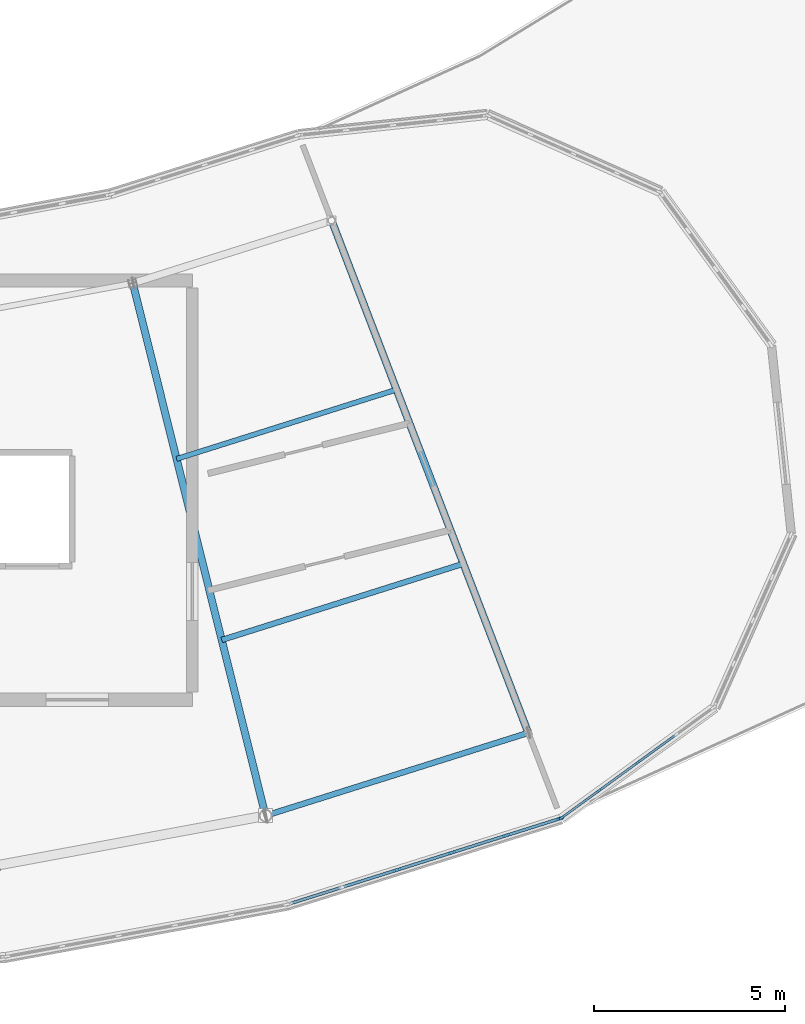
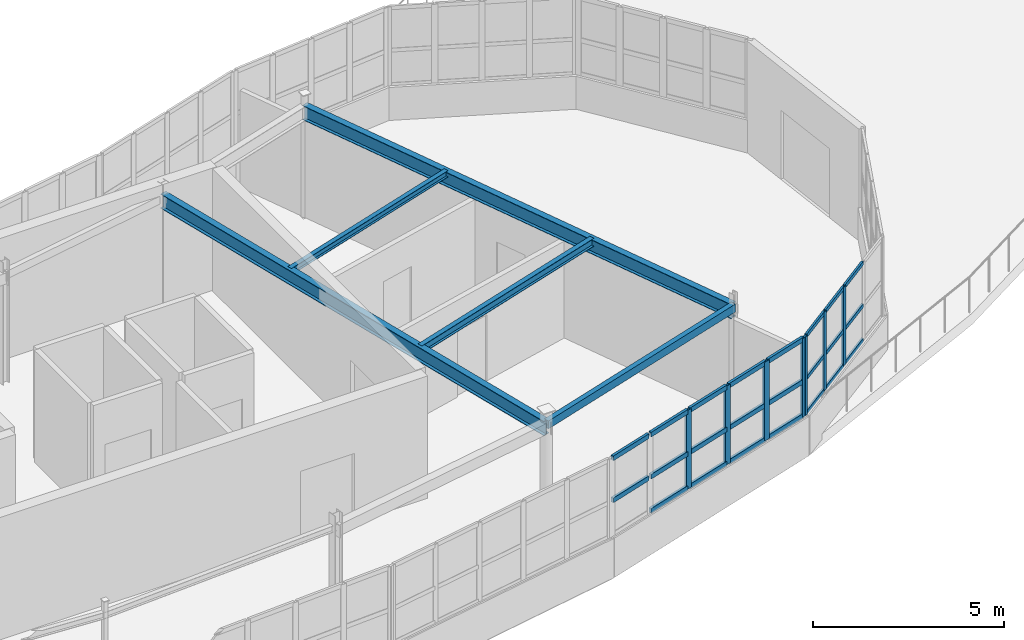
# One storey, part 20 of 65: 30 members, 5 beams, 2 elements without a shape of their own.
"""IFC4 building model written with IfcOpenShell, lengths in metres."""

from ifc_helpers import new_model, si_unit, direction, frame, origin, origin_2d, place, context, subcontext, project, spatial, rectangle, hollow_rectangle, i_section, extrude, material, layer, layer_set, material_profile, profile_set, type_object, element, aggregate, save


model = new_model("IFC4")

# Units and contexts
model_context = context("Model", 3, precision=1e-05, world=origin(), true_north=direction((0.0, 1.0)))
body_context = subcontext(model_context, "Body", "Model", "MODEL_VIEW")
ifc_project = project(units=[si_unit("LENGTHUNIT", "METRE"), si_unit("AREAUNIT", "SQUARE_METRE"), si_unit("VOLUMEUNIT", "CUBIC_METRE"), si_unit("PLANEANGLEUNIT", "RADIAN"), si_unit("MASSUNIT", "GRAM", prefix="KILO")], contexts=[model_context])

# Site, building, storey
site_placement = place(None, origin())
site = spatial("IfcSite", under=ifc_project, at=site_placement, CompositionType="ELEMENT")
building_placement = place(site_placement, origin())
building = spatial("IfcBuilding", under=site, at=building_placement, Name="Tarnwether General Hospital", CompositionType="ELEMENT")
storey_placement = place(building_placement, frame((0.0, 0.0, 22.199951171875)))
storey = spatial("IfcBuildingStorey", under=building, at=storey_placement, Name="L05", CompositionType="ELEMENT", Elevation=22.199951171875)

# Beams
ifc_material_1 = material(Name="Steel Grade 350 (350 MPa)", Category="steel")
ifc_material_profile_1 = material_profile(ifc_material_1, i_section(OverallWidth=0.19091796875, OverallDepth=0.4599609375, WebThickness=0.010009765625, FlangeThickness=0.01611328125, at=origin_2d()), Name="460UB82.1")
ifc_profile_set_1 = profile_set([ifc_material_profile_1], Name="Steel Grade 350 (350 MPa)")
beam_type_1 = type_object("IfcBeamType", Name="BM-G08", PredefinedType="BEAM", material=ifc_profile_set_1)
beam_1_placement = place(storey_placement, frame((106.322021484375, 5.55810546875, 3.330078125), z_axis=(-0.241941215118, 0.970290909175, 0.0), x_axis=(-0.970290909175, -0.241941215118, 0.0)))
element("IfcBeam", 1, at=beam_1_placement, inside=storey, type_object=beam_type_1, Name="Curved Ward SE Radial Girder BMG-L05-10632_556-10284_1953-2168", PredefinedType="BEAM", context=body_context, shape_type="SweptSolid", body=[
    extrude(i_section(OverallWidth=0.19091796875, OverallDepth=0.4599609375, WebThickness=0.010009765625, FlangeThickness=0.01611328125, at=origin_2d()), origin(), (0.0, 0.0, 1.0), 14.400634765625),
])
ifc_material_2 = material(Name="Steel Grade 350 (350 MPa)", Category="steel")
ifc_material_profile_2 = material_profile(ifc_material_2, i_section(OverallWidth=0.18994140625, OverallDepth=0.45703125, WebThickness=0.009033203125, FlangeThickness=0.014404296875, at=origin_2d()), Name="460UB74.6")
ifc_profile_set_2 = profile_set([ifc_material_profile_2], Name="Steel Grade 350 (350 MPa)")
beam_type_2 = type_object("IfcBeamType", Name="BM-G09", PredefinedType="BEAM", material=ifc_profile_set_2)
beam_2_placement = place(storey_placement, frame((113.215087890625, 7.73193359375, 3.33154296875), z_axis=(-0.358334838026, 0.933593136145, 0.0), x_axis=(-0.933593136145, -0.358334838026, 0.0)))
element("IfcBeam", 2, at=beam_2_placement, inside=storey, type_object=beam_type_2, Name="Curved Ward SE Radial Girder BMG-L05-11322_773-10806_2118-2169", PredefinedType="BEAM", context=body_context, shape_type="SweptSolid", body=[
    extrude(i_section(OverallWidth=0.18994140625, OverallDepth=0.45703125, WebThickness=0.009033203125, FlangeThickness=0.014404296875, at=origin_2d()), origin(), (0.0, 0.0, 1.0), 14.400390625),
])
ifc_material_3 = material(Name="Steel Grade 350 (350 MPa)", Category="steel")
ifc_material_profile_3 = material_profile(ifc_material_3, i_section(OverallWidth=0.14599609375, OverallDepth=0.256103515625, WebThickness=0.00634765625, FlangeThickness=0.010986328125, at=origin_2d()), Name="250UB37.3")
ifc_profile_set_3 = profile_set([ifc_material_profile_3], Name="Steel Grade 350 (350 MPa)")
beam_type_3 = type_object("IfcBeamType", Name="BM-J09", PredefinedType="JOIST", material=ifc_profile_set_3)
beam_3_placement = place(storey_placement, frame((105.172119140625, 10.1689453125, 3.43212890625), z_axis=(0.953671429399, 0.300850136693, 0.0), x_axis=(-0.300850136693, 0.953671429399, 0.0)))
element("IfcBeam", 3, at=beam_3_placement, inside=storey, type_object=beam_type_3, Name="Curved Ward SE Chord Joist BMG-L05-10517_1017-11151_1217-2190", PredefinedType="JOIST", context=body_context, shape_type="SweptSolid", body=[
    extrude(i_section(OverallWidth=0.14599609375, OverallDepth=0.256103515625, WebThickness=0.00634765625, FlangeThickness=0.010986328125, at=origin_2d()), origin(), (0.0, 0.0, 1.0), 6.64794921875),
])
ifc_material_4 = material(Name="Steel Grade 350 (350 MPa)", Category="steel")
ifc_material_profile_4 = material_profile(ifc_material_4, i_section(OverallWidth=0.134033203125, OverallDepth=0.20703125, WebThickness=0.00634765625, FlangeThickness=0.009521484375, at=origin_2d()), Name="200UB29.8")
ifc_profile_set_4 = profile_set([ifc_material_profile_4], Name="Steel Grade 350 (350 MPa)")
beam_type_4 = type_object("IfcBeamType", Name="BM-J12", PredefinedType="JOIST", material=ifc_profile_set_4)
beam_4_placement = place(storey_placement, frame((103.988037109375, 14.919921875, 3.45654296875), z_axis=(0.953725879816, 0.300677478654, 0.0), x_axis=(-0.300677478654, 0.953725879816, 0.0)))
element("IfcBeam", 4, at=beam_4_placement, inside=storey, type_object=beam_type_4, Name="Curved Ward SE Chord Joist BMG-L05-10399_1492-10976_1674-2191", PredefinedType="JOIST", context=body_context, shape_type="SweptSolid", body=[
    extrude(i_section(OverallWidth=0.134033203125, OverallDepth=0.20703125, WebThickness=0.00634765625, FlangeThickness=0.009521484375, at=origin_2d()), origin(), (0.0, 0.0, 1.0), 6.050048828125),
])
ifc_material_5 = material(Name="Steel Grade C350L0 (350 MPa)", Category="steel")
ifc_material_profile_5 = material_profile(ifc_material_5, hollow_rectangle(XDim=0.14990234375, YDim=0.25, WallThickness=0.008056640625, at=origin_2d()), Name="RHS250x150x8")
ifc_profile_set_5 = profile_set([ifc_material_profile_5], Name="Steel Grade C350L0 (350 MPa)")
beam_type_5 = type_object("IfcBeamType", Name="BM-SP8", PredefinedType="SPANDREL", material=ifc_profile_set_5)
beam_5_placement = place(storey_placement, frame((106.322021484375, 5.55810546875, 3.43505859375), z_axis=(0.953698988948, 0.300762761125, 0.0), x_axis=(-0.300762761125, 0.953698988948, 0.0)))
element("IfcBeam", 5, at=beam_5_placement, inside=storey, type_object=beam_type_5, Name="Curved Ward SE Outer Spandrel BMG-L05-10632_556-11322_773-2188", PredefinedType="SPANDREL", context=body_context, shape_type="SweptSolid", body=[
    extrude(hollow_rectangle(XDim=0.14990234375, YDim=0.25, WallThickness=0.008056640625, at=origin_2d()), origin(), (0.0, 0.0, 1.0), 7.227783203125),
])

# Curtain wall, members
ifc_material_6 = material(Name="Anodised aluminium", Category="aluminium")
ifc_layer_1 = layer(ifc_material_6, 0.159912109375)
ifc_layer_set_1 = layer_set([ifc_layer_1], Name="Anodised aluminium")
curtain_wall_type_1 = type_object("IfcCurtainWallType", Name="CW-04", PredefinedType="NOTDEFINED", material=ifc_layer_set_1)
curtain_wall_1_placement = place(storey_placement, origin())
curtain_wall_1 = element("IfcCurtainWall", 6, at=curtain_wall_1_placement, inside=storey, type_object=curtain_wall_type_1, Name="Curtain Wall CWG-L05-1181_84-0226", PredefinedType="NOTDEFINED")
ifc_material_7 = material(Name="Anodised aluminium", Category="aluminium")
ifc_material_profile_6 = material_profile(ifc_material_7, rectangle(XDim=0.06005859375, YDim=0.159912109375, at=origin_2d()), Name="ALU-MUL-60x160")
ifc_profile_set_6 = profile_set([ifc_material_profile_6], Name="Anodised aluminium")
member_type_1 = type_object("IfcMemberType", Name="CW-ML1", PredefinedType="MULLION", material=ifc_profile_set_6)
member_1_placement = place(storey_placement, frame((116.08544921875, 6.951416015625, 1.050048828125), z_axis=(0.0, 0.0, 1.0), x_axis=(0.587728951677, -0.809057896173, 0.0)))
member_1 = element("IfcMember", 7, at=member_1_placement, type_object=member_type_1, Name="CW-04 mullion 3", PredefinedType="MULLION", context=body_context, shape_type="SweptSolid", body=[
    extrude(rectangle(XDim=0.06005859375, YDim=0.159912109375, at=origin_2d()), origin(), (0.0, 0.0, 1.0), 2.510009765625),
])
member_2_placement = place(storey_placement, frame((115.080322265625, 6.22119140625, 1.050048828125), z_axis=(0.0, 0.0, 1.0), x_axis=(0.587728951677, -0.809057896173, 0.0)))
member_2 = element("IfcMember", 8, at=member_2_placement, type_object=member_type_1, Name="CW-04 mullion 4", PredefinedType="MULLION", context=body_context, shape_type="SweptSolid", body=[
    extrude(rectangle(XDim=0.06005859375, YDim=0.159912109375, at=origin_2d()), origin(), (0.0, 0.0, 1.0), 2.510009765625),
])
member_3_placement = place(storey_placement, frame((114.099365234375, 5.508544921875, 1.050048828125), z_axis=(0.0, 0.0, 1.0), x_axis=(0.587728951677, -0.809057896173, 0.0)))
member_3 = element("IfcMember", 9, at=member_3_placement, type_object=member_type_1, Name="CW-04 mullion 5", PredefinedType="MULLION", context=body_context, shape_type="SweptSolid", body=[
    extrude(rectangle(XDim=0.06005859375, YDim=0.159912109375, at=origin_2d()), origin(), (0.0, 0.0, 1.0), 2.510009765625),
])

ifc_material_8 = material(Name="Anodised aluminium", Category="aluminium")
ifc_layer_2 = layer(ifc_material_8, 0.159912109375)
ifc_layer_set_2 = layer_set([ifc_layer_2], Name="Anodised aluminium")
curtain_wall_type_2 = type_object("IfcCurtainWallType", Name="CW-10", PredefinedType="NOTDEFINED", material=ifc_layer_set_2)
curtain_wall_2_placement = place(storey_placement, origin())
curtain_wall_2 = element("IfcCurtainWall", 10, at=curtain_wall_2_placement, inside=storey, type_object=curtain_wall_type_2, Name="Curtain Wall CWG-L05-1141_55-0225", PredefinedType="NOTDEFINED")
ifc_material_9 = material(Name="Anodised aluminium", Category="aluminium")
ifc_material_profile_7 = material_profile(ifc_material_9, rectangle(XDim=0.080078125, YDim=0.199951171875, at=origin_2d()), Name="ALU-MUL-80x200")
ifc_profile_set_7 = profile_set([ifc_material_profile_7], Name="Anodised aluminium")
member_type_2 = type_object("IfcMemberType", Name="CW-ML4", PredefinedType="MULLION", material=ifc_profile_set_7)
member_4_placement = place(storey_placement, frame((114.036865234375, 5.47900390625, 1.050048828125), z_axis=(0.0, 0.0, 1.0), x_axis=(0.300628613299, -0.953741284032, 0.0)))
member_4 = element("IfcMember", 11, at=member_4_placement, type_object=member_type_2, Name="CW-10 mullion 1", PredefinedType="MULLION", context=body_context, shape_type="SweptSolid", body=[
    extrude(rectangle(XDim=0.080078125, YDim=0.199951171875, at=origin_2d()), origin(), (0.0, 0.0, 1.0), 2.510009765625),
])
member_5_placement = place(storey_placement, frame((112.640380859375, 5.038818359375, 1.050048828125), z_axis=(0.0, 0.0, 1.0), x_axis=(0.300628613299, -0.953741284032, 0.0)))
member_5 = element("IfcMember", 12, at=member_5_placement, type_object=member_type_2, Name="CW-10 mullion 2", PredefinedType="MULLION", context=body_context, shape_type="SweptSolid", body=[
    extrude(rectangle(XDim=0.080078125, YDim=0.199951171875, at=origin_2d()), origin(), (0.0, 0.0, 1.0), 2.510009765625),
])
member_6_placement = place(storey_placement, frame((111.205810546875, 4.586669921875, 1.050048828125), z_axis=(0.0, 0.0, 1.0), x_axis=(0.300628613299, -0.953741284032, 0.0)))
member_6 = element("IfcMember", 13, at=member_6_placement, type_object=member_type_2, Name="CW-10 mullion 3", PredefinedType="MULLION", context=body_context, shape_type="SweptSolid", body=[
    extrude(rectangle(XDim=0.080078125, YDim=0.199951171875, at=origin_2d()), origin(), (0.0, 0.0, 1.0), 2.510009765625),
])
member_7_placement = place(storey_placement, frame((109.771240234375, 4.134521484375, 1.050048828125), z_axis=(0.0, 0.0, 1.0), x_axis=(0.300628613299, -0.953741284032, 0.0)))
member_7 = element("IfcMember", 14, at=member_7_placement, type_object=member_type_2, Name="CW-10 mullion 4", PredefinedType="MULLION", context=body_context, shape_type="SweptSolid", body=[
    extrude(rectangle(XDim=0.080078125, YDim=0.199951171875, at=origin_2d()), origin(), (0.0, 0.0, 1.0), 2.510009765625),
])

# Member
ifc_material_10 = material(Name="Anodised aluminium", Category="aluminium")
ifc_material_profile_8 = material_profile(ifc_material_10, rectangle(XDim=0.06005859375, YDim=0.1201171875, at=origin_2d()), Name="ALU-TRN-60x120")
ifc_profile_set_8 = profile_set([ifc_material_profile_8], Name="Anodised aluminium")
member_type_3 = type_object("IfcMemberType", Name="CW-TR1", PredefinedType="USERDEFINED", material=ifc_profile_set_8)
member_8_placement = place(storey_placement, frame((117.06640625, 7.6640625, 1.080078125), z_axis=(-0.809075282914, -0.587705016634, 0.0), x_axis=(0.587705016634, -0.809075282914, 0.0)))
member_8 = element("IfcMember", 15, at=member_8_placement, type_object=member_type_3, Name="CW-04 transom 2.1", ObjectType="TRANSOM", PredefinedType="USERDEFINED", context=body_context, shape_type="SweptSolid", body=[
    extrude(rectangle(XDim=0.06005859375, YDim=0.1201171875, at=origin_2d()), origin(), (0.0, 0.0, 1.0), 1.182373046875),
])

member_9_placement = place(storey_placement, frame((117.06640625, 7.6640625, 2.179443359375), z_axis=(-0.809075282914, -0.587705016634, 0.0), x_axis=(0.587705016634, -0.809075282914, 0.0)))
member_9 = element("IfcMember", 16, at=member_9_placement, type_object=member_type_3, Name="CW-04 transom 2.2", ObjectType="TRANSOM", PredefinedType="USERDEFINED", context=body_context, shape_type="SweptSolid", body=[
    extrude(rectangle(XDim=0.06005859375, YDim=0.1201171875, at=origin_2d()), origin(), (0.0, 0.0, 1.0), 1.182373046875),
])

member_10_placement = place(storey_placement, frame((117.06640625, 7.6640625, 3.530029296875), z_axis=(-0.809075282914, -0.587705016634, 0.0), x_axis=(0.587705016634, -0.809075282914, 0.0)))
member_10 = element("IfcMember", 17, at=member_10_placement, type_object=member_type_3, Name="CW-04 transom 2.3", ObjectType="TRANSOM", PredefinedType="USERDEFINED", context=body_context, shape_type="SweptSolid", body=[
    extrude(rectangle(XDim=0.06005859375, YDim=0.1201171875, at=origin_2d()), origin(), (0.0, 0.0, 1.0), 1.182373046875),
])

member_11_placement = place(storey_placement, frame((116.061279296875, 6.933837890625, 1.080078125), z_axis=(-0.809048423805, -0.58774199096, 0.0), x_axis=(0.58774199096, -0.809048423805, 0.0)))
member_11 = element("IfcMember", 18, at=member_11_placement, type_object=member_type_3, Name="CW-04 transom 3.1", ObjectType="TRANSOM", PredefinedType="USERDEFINED", context=body_context, shape_type="SweptSolid", body=[
    extrude(rectangle(XDim=0.06005859375, YDim=0.1201171875, at=origin_2d()), origin(), (0.0, 0.0, 1.0), 1.1826171875),
])

member_12_placement = place(storey_placement, frame((116.061279296875, 6.933837890625, 2.179443359375), z_axis=(-0.809048423805, -0.58774199096, 0.0), x_axis=(0.58774199096, -0.809048423805, 0.0)))
member_12 = element("IfcMember", 19, at=member_12_placement, type_object=member_type_3, Name="CW-04 transom 3.2", ObjectType="TRANSOM", PredefinedType="USERDEFINED", context=body_context, shape_type="SweptSolid", body=[
    extrude(rectangle(XDim=0.06005859375, YDim=0.1201171875, at=origin_2d()), origin(), (0.0, 0.0, 1.0), 1.1826171875),
])

member_13_placement = place(storey_placement, frame((116.061279296875, 6.933837890625, 3.530029296875), z_axis=(-0.809048423805, -0.58774199096, 0.0), x_axis=(0.58774199096, -0.809048423805, 0.0)))
member_13 = element("IfcMember", 20, at=member_13_placement, type_object=member_type_3, Name="CW-04 transom 3.3", ObjectType="TRANSOM", PredefinedType="USERDEFINED", context=body_context, shape_type="SweptSolid", body=[
    extrude(rectangle(XDim=0.06005859375, YDim=0.1201171875, at=origin_2d()), origin(), (0.0, 0.0, 1.0), 1.1826171875),
])

member_14_placement = place(storey_placement, frame((115.055908203125, 6.20361328125, 1.080078125), z_axis=(-0.809084076166, -0.587692911046, 0.0), x_axis=(0.587692911046, -0.809084076166, 0.0)))
member_14 = element("IfcMember", 21, at=member_14_placement, type_object=member_type_3, Name="CW-04 transom 4.1", ObjectType="TRANSOM", PredefinedType="USERDEFINED", context=body_context, shape_type="SweptSolid", body=[
    extrude(rectangle(XDim=0.06005859375, YDim=0.1201171875, at=origin_2d()), origin(), (0.0, 0.0, 1.0), 1.15234375),
])

member_15_placement = place(storey_placement, frame((115.055908203125, 6.20361328125, 2.179443359375), z_axis=(-0.809084076166, -0.587692911046, 0.0), x_axis=(0.587692911046, -0.809084076166, 0.0)))
member_15 = element("IfcMember", 22, at=member_15_placement, type_object=member_type_3, Name="CW-04 transom 4.2", ObjectType="TRANSOM", PredefinedType="USERDEFINED", context=body_context, shape_type="SweptSolid", body=[
    extrude(rectangle(XDim=0.06005859375, YDim=0.1201171875, at=origin_2d()), origin(), (0.0, 0.0, 1.0), 1.15234375),
])

member_16_placement = place(storey_placement, frame((115.055908203125, 6.20361328125, 3.530029296875), z_axis=(-0.809084076166, -0.587692911046, 0.0), x_axis=(0.587692911046, -0.809084076166, 0.0)))
member_16 = element("IfcMember", 23, at=member_16_placement, type_object=member_type_3, Name="CW-04 transom 4.3", ObjectType="TRANSOM", PredefinedType="USERDEFINED", context=body_context, shape_type="SweptSolid", body=[
    extrude(rectangle(XDim=0.06005859375, YDim=0.1201171875, at=origin_2d()), origin(), (0.0, 0.0, 1.0), 1.15234375),
])

aggregate(curtain_wall_1, [member_1, member_2, member_3, member_8, member_9, member_10, member_11, member_12, member_13, member_14, member_15, member_16])

ifc_material_11 = material(Name="Anodised aluminium", Category="aluminium")
ifc_material_profile_9 = material_profile(ifc_material_11, rectangle(XDim=0.080078125, YDim=0.14990234375, at=origin_2d()), Name="ALU-TRN-80x150")
ifc_profile_set_9 = profile_set([ifc_material_profile_9], Name="Anodised aluminium")
member_type_4 = type_object("IfcMemberType", Name="CW-TR4", PredefinedType="USERDEFINED", material=ifc_profile_set_9)
member_17_placement = place(storey_placement, frame((113.998779296875, 5.467041015625, 1.090087890625), z_axis=(-0.953723821306, -0.300684008012, 0.0), x_axis=(0.300684008012, -0.953723821306, 0.0)))
member_17 = element("IfcMember", 24, at=member_17_placement, type_object=member_type_4, Name="CW-10 transom 1.1", ObjectType="TRANSOM", PredefinedType="USERDEFINED", context=body_context, shape_type="SweptSolid", body=[
    extrude(rectangle(XDim=0.080078125, YDim=0.14990234375, at=origin_2d()), origin(), (0.0, 0.0, 1.0), 1.38427734375),
])

member_18_placement = place(storey_placement, frame((113.998779296875, 5.467041015625, 2.179443359375), z_axis=(-0.953723821306, -0.300684008012, 0.0), x_axis=(0.300684008012, -0.953723821306, 0.0)))
member_18 = element("IfcMember", 25, at=member_18_placement, type_object=member_type_4, Name="CW-10 transom 1.2", ObjectType="TRANSOM", PredefinedType="USERDEFINED", context=body_context, shape_type="SweptSolid", body=[
    extrude(rectangle(XDim=0.080078125, YDim=0.14990234375, at=origin_2d()), origin(), (0.0, 0.0, 1.0), 1.38427734375),
])

member_19_placement = place(storey_placement, frame((113.998779296875, 5.467041015625, 3.52001953125), z_axis=(-0.953723821306, -0.300684008012, 0.0), x_axis=(0.300684008012, -0.953723821306, 0.0)))
member_19 = element("IfcMember", 26, at=member_19_placement, type_object=member_type_4, Name="CW-10 transom 1.3", ObjectType="TRANSOM", PredefinedType="USERDEFINED", context=body_context, shape_type="SweptSolid", body=[
    extrude(rectangle(XDim=0.080078125, YDim=0.14990234375, at=origin_2d()), origin(), (0.0, 0.0, 1.0), 1.38427734375),
])

member_20_placement = place(storey_placement, frame((112.602294921875, 5.02685546875, 1.090087890625), z_axis=(-0.953732801221, -0.300655523606, 0.0), x_axis=(0.300655523606, -0.953732801221, 0.0)))
member_20 = element("IfcMember", 27, at=member_20_placement, type_object=member_type_4, Name="CW-10 transom 2.1", ObjectType="TRANSOM", PredefinedType="USERDEFINED", context=body_context, shape_type="SweptSolid", body=[
    extrude(rectangle(XDim=0.080078125, YDim=0.14990234375, at=origin_2d()), origin(), (0.0, 0.0, 1.0), 1.42431640625),
])

member_21_placement = place(storey_placement, frame((112.602294921875, 5.02685546875, 2.179443359375), z_axis=(-0.953732801221, -0.300655523606, 0.0), x_axis=(0.300655523606, -0.953732801221, 0.0)))
member_21 = element("IfcMember", 28, at=member_21_placement, type_object=member_type_4, Name="CW-10 transom 2.2", ObjectType="TRANSOM", PredefinedType="USERDEFINED", context=body_context, shape_type="SweptSolid", body=[
    extrude(rectangle(XDim=0.080078125, YDim=0.14990234375, at=origin_2d()), origin(), (0.0, 0.0, 1.0), 1.42431640625),
])

member_22_placement = place(storey_placement, frame((112.602294921875, 5.02685546875, 3.52001953125), z_axis=(-0.953732801221, -0.300655523606, 0.0), x_axis=(0.300655523606, -0.953732801221, 0.0)))
member_22 = element("IfcMember", 29, at=member_22_placement, type_object=member_type_4, Name="CW-10 transom 2.3", ObjectType="TRANSOM", PredefinedType="USERDEFINED", context=body_context, shape_type="SweptSolid", body=[
    extrude(rectangle(XDim=0.080078125, YDim=0.14990234375, at=origin_2d()), origin(), (0.0, 0.0, 1.0), 1.42431640625),
])

member_23_placement = place(storey_placement, frame((111.167724609375, 4.574462890625, 1.090087890625), z_axis=(-0.953781942364, -0.30049959471, 0.0), x_axis=(0.30049959471, -0.953781942364, 0.0)))
member_23 = element("IfcMember", 30, at=member_23_placement, type_object=member_type_4, Name="CW-10 transom 3.1", ObjectType="TRANSOM", PredefinedType="USERDEFINED", context=body_context, shape_type="SweptSolid", body=[
    extrude(rectangle(XDim=0.080078125, YDim=0.14990234375, at=origin_2d()), origin(), (0.0, 0.0, 1.0), 1.42431640625),
])

member_24_placement = place(storey_placement, frame((111.167724609375, 4.574462890625, 2.179443359375), z_axis=(-0.953781942364, -0.30049959471, 0.0), x_axis=(0.30049959471, -0.953781942364, 0.0)))
member_24 = element("IfcMember", 31, at=member_24_placement, type_object=member_type_4, Name="CW-10 transom 3.2", ObjectType="TRANSOM", PredefinedType="USERDEFINED", context=body_context, shape_type="SweptSolid", body=[
    extrude(rectangle(XDim=0.080078125, YDim=0.14990234375, at=origin_2d()), origin(), (0.0, 0.0, 1.0), 1.42431640625),
])

member_25_placement = place(storey_placement, frame((111.167724609375, 4.574462890625, 3.52001953125), z_axis=(-0.953781942364, -0.30049959471, 0.0), x_axis=(0.30049959471, -0.953781942364, 0.0)))
member_25 = element("IfcMember", 32, at=member_25_placement, type_object=member_type_4, Name="CW-10 transom 3.3", ObjectType="TRANSOM", PredefinedType="USERDEFINED", context=body_context, shape_type="SweptSolid", body=[
    extrude(rectangle(XDim=0.080078125, YDim=0.14990234375, at=origin_2d()), origin(), (0.0, 0.0, 1.0), 1.42431640625),
])

member_26_placement = place(storey_placement, frame((109.733154296875, 4.122314453125, 1.090087890625), z_axis=(-0.953781942364, -0.30049959471, 0.0), x_axis=(0.30049959471, -0.953781942364, 0.0)))
member_26 = element("IfcMember", 33, at=member_26_placement, type_object=member_type_4, Name="CW-10 transom 4.1", ObjectType="TRANSOM", PredefinedType="USERDEFINED", context=body_context, shape_type="SweptSolid", body=[
    extrude(rectangle(XDim=0.080078125, YDim=0.14990234375, at=origin_2d()), origin(), (0.0, 0.0, 1.0), 1.42431640625),
])

member_27_placement = place(storey_placement, frame((109.733154296875, 4.122314453125, 2.179443359375), z_axis=(-0.953781942364, -0.30049959471, 0.0), x_axis=(0.30049959471, -0.953781942364, 0.0)))
member_27 = element("IfcMember", 34, at=member_27_placement, type_object=member_type_4, Name="CW-10 transom 4.2", ObjectType="TRANSOM", PredefinedType="USERDEFINED", context=body_context, shape_type="SweptSolid", body=[
    extrude(rectangle(XDim=0.080078125, YDim=0.14990234375, at=origin_2d()), origin(), (0.0, 0.0, 1.0), 1.42431640625),
])

member_28_placement = place(storey_placement, frame((109.733154296875, 4.122314453125, 3.52001953125), z_axis=(-0.953781942364, -0.30049959471, 0.0), x_axis=(0.30049959471, -0.953781942364, 0.0)))
member_28 = element("IfcMember", 35, at=member_28_placement, type_object=member_type_4, Name="CW-10 transom 4.3", ObjectType="TRANSOM", PredefinedType="USERDEFINED", context=body_context, shape_type="SweptSolid", body=[
    extrude(rectangle(XDim=0.080078125, YDim=0.14990234375, at=origin_2d()), origin(), (0.0, 0.0, 1.0), 1.42431640625),
])

member_29_placement = place(storey_placement, frame((108.29833984375, 3.670166015625, 2.179443359375), z_axis=(-0.95375845132, -0.300574144821, 0.0), x_axis=(0.300574144821, -0.95375845132, 0.0)))
member_29 = element("IfcMember", 36, at=member_29_placement, type_object=member_type_4, Name="CW-10 transom 5.2", ObjectType="TRANSOM", PredefinedType="USERDEFINED", context=body_context, shape_type="SweptSolid", body=[
    extrude(rectangle(XDim=0.080078125, YDim=0.14990234375, at=origin_2d()), origin(), (0.0, 0.0, 1.0), 1.384033203125),
])

member_30_placement = place(storey_placement, frame((108.29833984375, 3.670166015625, 3.52001953125), z_axis=(-0.95375845132, -0.300574144821, 0.0), x_axis=(0.300574144821, -0.95375845132, 0.0)))
member_30 = element("IfcMember", 37, at=member_30_placement, type_object=member_type_4, Name="CW-10 transom 5.3", ObjectType="TRANSOM", PredefinedType="USERDEFINED", context=body_context, shape_type="SweptSolid", body=[
    extrude(rectangle(XDim=0.080078125, YDim=0.14990234375, at=origin_2d()), origin(), (0.0, 0.0, 1.0), 1.384033203125),
])

aggregate(curtain_wall_2, [member_4, member_5, member_6, member_7, member_17, member_18, member_19, member_20, member_21, member_22, member_23, member_24, member_25, member_26, member_27, member_28, member_29, member_30])

save(model, "model.ifc")
